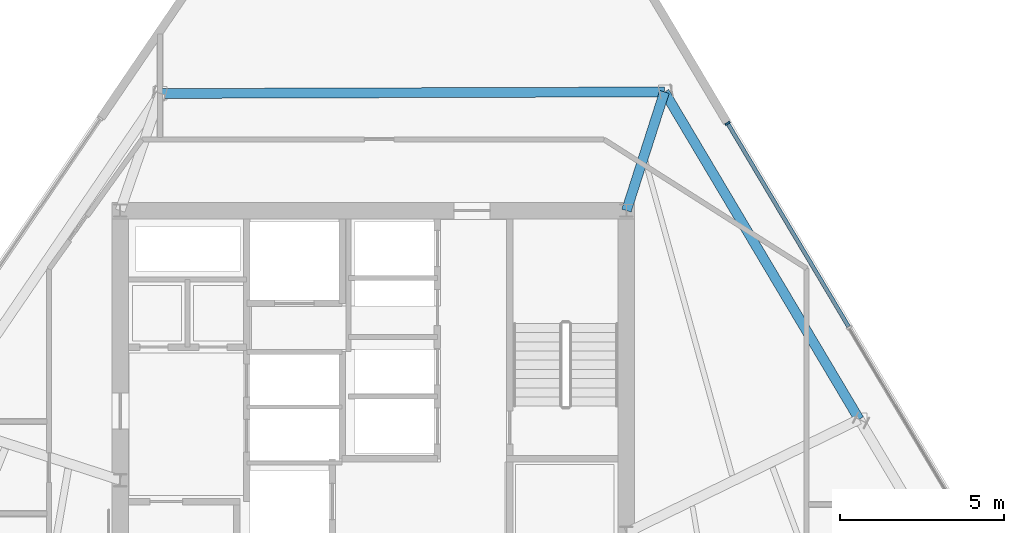
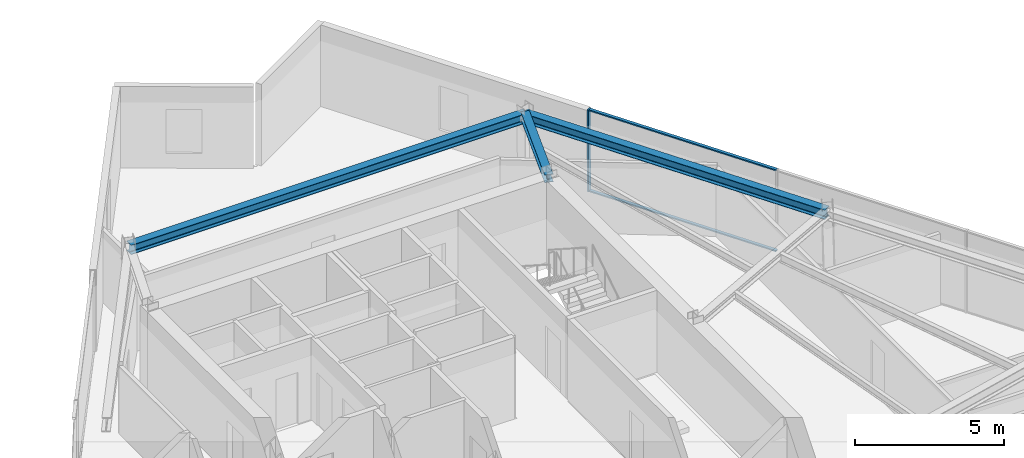
# One storey, part 6 of 15: 3 beams, 3 members, 1 element without a shape of its own.
"""IFC4 building model written with IfcOpenShell, lengths in metres."""

from ifc_helpers import new_model, si_unit, direction, frame, origin, origin_2d, place, context, subcontext, project, spatial, rectangle, i_section, extrude, material, material_profile, profile_set, type_object, element, aggregate, save


model = new_model("IFC4")

# Units and contexts
model_context = context("Model", 3, precision=1e-05, world=origin(), true_north=direction((0.0, 1.0)))
body_context = subcontext(model_context, "Body", "Model", "MODEL_VIEW")
ifc_project = project(units=[si_unit("LENGTHUNIT", "METRE"), si_unit("AREAUNIT", "SQUARE_METRE"), si_unit("VOLUMEUNIT", "CUBIC_METRE"), si_unit("PLANEANGLEUNIT", "RADIAN"), si_unit("MASSUNIT", "GRAM", prefix="KILO")], contexts=[model_context])

# Site, building, storey
site_placement = place(None, origin())
site = spatial("IfcSite", under=ifc_project, at=site_placement, CompositionType="ELEMENT")
building_placement = place(site_placement, origin())
building = spatial("IfcBuilding", under=site, at=building_placement, Name="Savorim Split Tower", CompositionType="ELEMENT")
storey_placement = place(building_placement, frame((0.0, 0.0, 201.89990234375)))
storey = spatial("IfcBuildingStorey", under=building, at=storey_placement, Name="L53", CompositionType="ELEMENT", Elevation=201.89990234375)

# Beams
ifc_material_1 = material(Name="Steel S355", Category="steel")
ifc_material_profile_1 = material_profile(ifc_material_1, i_section(OverallWidth=0.300048828125, OverallDepth=0.320068359375, WebThickness=0.011474609375, FlangeThickness=0.0205078125, FilletRadius=0.027099609375, at=origin_2d()), Name="HEB 320")
ifc_profile_set_1 = profile_set([ifc_material_profile_1], Name="Steel S355")
beam_type_1 = type_object("IfcBeamType", Name="BM-PRI-HEB320", PredefinedType="BEAM", material=ifc_profile_set_1)
beam_1_placement = place(storey_placement, frame((8.857421875, 13.81103515625, 3.190185546875), z_axis=(-0.305235897937, -0.952276769963, 0.0), x_axis=(0.952276769963, -0.305235897937, 0.0)))
element("IfcBeam", 1, at=beam_1_placement, inside=storey, type_object=beam_type_1, Name="L53 Primary Floor Girder RG-07", PredefinedType="BEAM", context=body_context, shape_type="SweptSolid", body=[
    extrude(i_section(OverallWidth=0.300048828125, OverallDepth=0.320068359375, WebThickness=0.011474609375, FlangeThickness=0.0205078125, FilletRadius=0.027099609375, at=origin_2d()), origin(), (0.0, 0.0, 1.0), 3.7919921875),
])
ifc_material_profile_2 = material_profile(ifc_material_1, i_section(OverallWidth=0.300048828125, OverallDepth=0.389892578125, WebThickness=0.010986328125, FlangeThickness=0.01904296875, FilletRadius=0.027099609375, at=origin_2d()), Name="HEA 400")
ifc_profile_set_2 = profile_set([ifc_material_profile_2], Name="Steel S355")
beam_type_2 = type_object("IfcBeamType", Name="BM-SPN-HEA400", PredefinedType="SPANDREL", material=ifc_profile_set_2)
beam_2_placement = place(storey_placement, frame((14.780029296875, 3.850830078125, 3.155029296875), z_axis=(-0.511096006242, 0.859523631091, 0.0), x_axis=(-0.859523631091, -0.511096006242, 0.0)))
element("IfcBeam", 2, at=beam_2_placement, inside=storey, type_object=beam_type_2, Name="L53 Perimeter Spandrel Beam 6", PredefinedType="SPANDREL", context=body_context, shape_type="SweptSolid", body=[
    extrude(i_section(OverallWidth=0.300048828125, OverallDepth=0.389892578125, WebThickness=0.010986328125, FlangeThickness=0.01904296875, FilletRadius=0.027099609375, at=origin_2d()), origin(), (0.0, 0.0, 1.0), 11.588134765625),
])
beam_3_placement = place(storey_placement, frame((8.857421875, 13.81103515625, 3.155029296875), z_axis=(-0.999994926577, -0.003185407341, 0.0), x_axis=(0.003185407341, -0.999994926577, 0.0)))
element("IfcBeam", 3, at=beam_3_placement, inside=storey, type_object=beam_type_2, Name="L53 Perimeter Spandrel Beam 7", PredefinedType="SPANDREL", context=body_context, shape_type="SweptSolid", body=[
    extrude(i_section(OverallWidth=0.300048828125, OverallDepth=0.389892578125, WebThickness=0.010986328125, FlangeThickness=0.01904296875, FilletRadius=0.027099609375, at=origin_2d()), origin(), (0.0, 0.0, 1.0), 15.32861328125),
])

# Curtain wall, members
ifc_material_2 = material(Name="Dark Ceramic-Fritted Insulated Glass", Category="glass")
curtain_wall_type = type_object("IfcCurtainWallType", Name="CW-TWR-FRIT-B", PredefinedType="NOTDEFINED", material=ifc_material_2)
curtain_wall_placement = place(storey_placement, origin())
curtain_wall = element("IfcCurtainWall", 4, at=curtain_wall_placement, inside=storey, type_object=curtain_wall_type, Name="L53 Curtain Wall CW-L53-EAST", PredefinedType="NOTDEFINED")
ifc_material_3 = material(Name="Charcoal Anodised Aluminium", Category="aluminium")
ifc_material_profile_3 = material_profile(ifc_material_3, rectangle(XDim=0.159912109375, YDim=0.06005859375, at=origin_2d()), Name="ALU-M 160x60")
ifc_profile_set_3 = profile_set([ifc_material_profile_3], Name="Charcoal Anodised Aluminium")
member_type_1 = type_object("IfcMemberType", Name="CWM-160x60", PredefinedType="MULLION", material=ifc_profile_set_3)
member_1_placement = place(storey_placement, frame((10.779296875, 12.853759765625, 0.0), z_axis=(0.0, 0.0, 1.0), x_axis=(-0.859525909056, -0.511092175308, 0.0)))
member_1 = element("IfcMember", 5, at=member_1_placement, type_object=member_type_1, Name="CW-03 mullion 5", PredefinedType="MULLION", context=body_context, shape_type="SweptSolid", body=[
    extrude(rectangle(XDim=0.159912109375, YDim=0.06005859375, at=origin_2d()), origin(), (0.0, 0.0, 1.0), 3.35009765625),
])
ifc_material_profile_4 = material_profile(ifc_material_3, rectangle(XDim=0.1201171875, YDim=0.050048828125, at=origin_2d()), Name="ALU-T 120x50")
ifc_profile_set_4 = profile_set([ifc_material_profile_4], Name="Charcoal Anodised Aluminium")
member_type_2 = type_object("IfcMemberType", Name="CWT-120x50", PredefinedType="USERDEFINED", material=ifc_profile_set_4)
member_2_placement = place(storey_placement, frame((14.4580078125, 6.667236328125, 0.025146484375), z_axis=(-0.511085594604, 0.859529822047, 0.0), x_axis=(-0.859529822047, -0.511085594604, 0.0)))
member_2 = element("IfcMember", 6, at=member_2_placement, type_object=member_type_2, Name="CW-03 transom 4.1", ObjectType="TRANSOM", PredefinedType="USERDEFINED", context=body_context, shape_type="SweptSolid", body=[
    extrude(rectangle(XDim=0.1201171875, YDim=0.050048828125, at=origin_2d()), origin(), (0.0, 0.0, 1.0), 7.167724609375),
])
member_3_placement = place(storey_placement, frame((14.4580078125, 6.667236328125, 3.3251953125), z_axis=(-0.511085594604, 0.859529822047, 0.0), x_axis=(-0.859529822047, -0.511085594604, 0.0)))
member_3 = element("IfcMember", 7, at=member_3_placement, type_object=member_type_2, Name="CW-03 transom 4.2", ObjectType="TRANSOM", PredefinedType="USERDEFINED", context=body_context, shape_type="SweptSolid", body=[
    extrude(rectangle(XDim=0.1201171875, YDim=0.050048828125, at=origin_2d()), origin(), (0.0, 0.0, 1.0), 7.167724609375),
])
aggregate(curtain_wall, [member_1, member_2, member_3])

save(model, "model.ifc")
